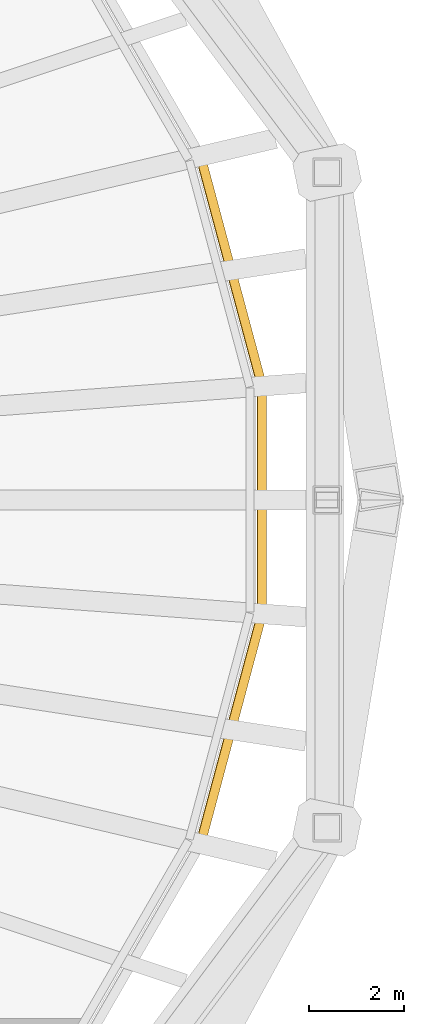
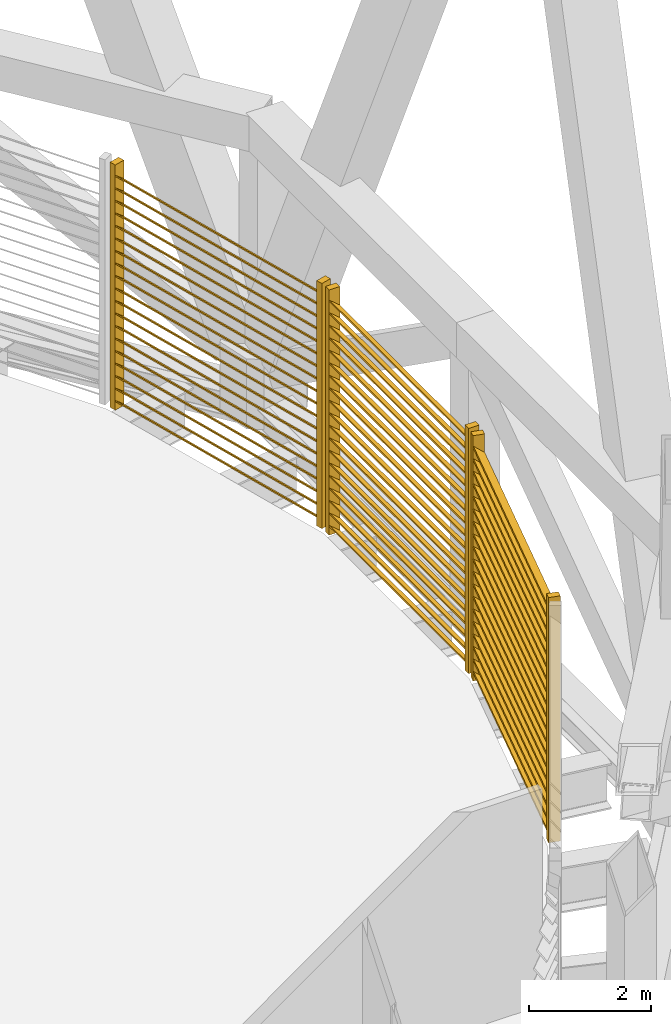
# One storey, part 18 of 18: 3 shading devices.
"""IFC4 building model written with IfcOpenShell, lengths in metres."""

from ifc_helpers import new_model, si_unit, direction, frame, origin, origin_2d, place, context, subcontext, project, spatial, rectangle, extrude, material, type_object, element, save


model = new_model("IFC4")

# Units and contexts
model_context = context("Model", 3, precision=1e-05, world=origin(), true_north=direction((0.0, 1.0)))
body_context = subcontext(model_context, "Body", "Model", "MODEL_VIEW")
ifc_project = project(units=[si_unit("LENGTHUNIT", "METRE"), si_unit("AREAUNIT", "SQUARE_METRE"), si_unit("VOLUMEUNIT", "CUBIC_METRE"), si_unit("PLANEANGLEUNIT", "RADIAN"), si_unit("MASSUNIT", "GRAM", prefix="KILO")], contexts=[model_context])

# Site, building, storey
site_placement = place(None, origin())
site = spatial("IfcSite", under=ifc_project, at=site_placement, CompositionType="ELEMENT")
building_placement = place(site_placement, origin())
building = spatial("IfcBuilding", under=site, at=building_placement, Name="Sahrelin Media Tower", CompositionType="ELEMENT")
storey_placement = place(building_placement, frame((0.0, 0.0, 96.60009765625)))
storey = spatial("IfcBuildingStorey", under=building, at=storey_placement, Name="L18", CompositionType="ELEMENT", Elevation=96.60009765625)

# Shading devices
ifc_material = material(Name="Champagne anodised aluminium 6063-T6", Category="aluminium")
shading_device_type = type_object("IfcShadingDeviceType", Name="Sand-rejection louvre band", PredefinedType="USERDEFINED", material=ifc_material)
shading_device_1_placement = place(storey_placement, frame((31.994873046875, 0.0, 0.0), z_axis=(0.0, 0.0, 1.0), x_axis=(0.0, -1.0, 0.0)))
element("IfcShadingDevice", 1, at=shading_device_1_placement, inside=storey, type_object=shading_device_type, Name="L18:LOUVRE:L18-00", ObjectType="LOUVRE", PredefinedType="USERDEFINED", context=body_context, shape_type="SweptSolid", body=[
    extrude(rectangle(XDim=0.1201171875, YDim=0.199951171875, at=origin_2d()), frame((2.28125, 0.10009765625, 0.050048828125), z_axis=(0.0, 0.0, 1.0), x_axis=(1.0, 0.0, 0.0)), (0.0, 0.0, 1.0), 4.8984375),
    extrude(rectangle(XDim=0.1201171875, YDim=0.199951171875, at=origin_2d()), frame((-2.28125, 0.10009765625, 0.050048828125), z_axis=(0.0, 0.0, 1.0), x_axis=(1.0, 0.0, 0.0)), (0.0, 0.0, 1.0), 4.8984375),
    extrude(rectangle(XDim=0.25, YDim=0.02001953125, at=origin_2d()), frame((2.22119140625, 0.10009765625, 0.14990234375), z_axis=(-1.0, 0.0, 0.0), x_axis=(0.0, -0.766044443119, 0.642787609687)), (0.0, 0.0, 1.0), 4.4423828125),
    extrude(rectangle(XDim=0.25, YDim=0.02001953125, at=origin_2d()), frame((2.22119140625, 0.10009765625, 0.39990234375), z_axis=(-1.0, 0.0, 0.0), x_axis=(0.0, -0.766044443119, 0.642787609687)), (0.0, 0.0, 1.0), 4.4423828125),
    extrude(rectangle(XDim=0.25, YDim=0.02001953125, at=origin_2d()), frame((2.22119140625, 0.10009765625, 0.64990234375), z_axis=(-1.0, 0.0, 0.0), x_axis=(0.0, -0.766044443119, 0.642787609687)), (0.0, 0.0, 1.0), 4.4423828125),
    extrude(rectangle(XDim=0.25, YDim=0.02001953125, at=origin_2d()), frame((2.22119140625, 0.10009765625, 0.89990234375), z_axis=(-1.0, 0.0, 0.0), x_axis=(0.0, -0.766044443119, 0.642787609687)), (0.0, 0.0, 1.0), 4.4423828125),
    extrude(rectangle(XDim=0.25, YDim=0.02001953125, at=origin_2d()), frame((2.22119140625, 0.10009765625, 1.14990234375), z_axis=(-1.0, 0.0, 0.0), x_axis=(0.0, -0.766044443119, 0.642787609687)), (0.0, 0.0, 1.0), 4.4423828125),
    extrude(rectangle(XDim=0.25, YDim=0.02001953125, at=origin_2d()), frame((2.22119140625, 0.10009765625, 1.39990234375), z_axis=(-1.0, 0.0, 0.0), x_axis=(0.0, -0.766044443119, 0.642787609687)), (0.0, 0.0, 1.0), 4.4423828125),
    extrude(rectangle(XDim=0.25, YDim=0.02001953125, at=origin_2d()), frame((2.22119140625, 0.10009765625, 1.64990234375), z_axis=(-1.0, 0.0, 0.0), x_axis=(0.0, -0.766044443119, 0.642787609687)), (0.0, 0.0, 1.0), 4.4423828125),
    extrude(rectangle(XDim=0.25, YDim=0.02001953125, at=origin_2d()), frame((2.22119140625, 0.10009765625, 1.89990234375), z_axis=(-1.0, 0.0, 0.0), x_axis=(0.0, -0.766044443119, 0.642787609687)), (0.0, 0.0, 1.0), 4.4423828125),
    extrude(rectangle(XDim=0.25, YDim=0.02001953125, at=origin_2d()), frame((2.22119140625, 0.10009765625, 2.14990234375), z_axis=(-1.0, 0.0, 0.0), x_axis=(0.0, -0.766044443119, 0.642787609687)), (0.0, 0.0, 1.0), 4.4423828125),
    extrude(rectangle(XDim=0.25, YDim=0.02001953125, at=origin_2d()), frame((2.22119140625, 0.10009765625, 2.39990234375), z_axis=(-1.0, 0.0, 0.0), x_axis=(0.0, -0.766044443119, 0.642787609687)), (0.0, 0.0, 1.0), 4.4423828125),
    extrude(rectangle(XDim=0.25, YDim=0.02001953125, at=origin_2d()), frame((2.22119140625, 0.10009765625, 2.64990234375), z_axis=(-1.0, 0.0, 0.0), x_axis=(0.0, -0.766044443119, 0.642787609687)), (0.0, 0.0, 1.0), 4.4423828125),
    extrude(rectangle(XDim=0.25, YDim=0.02001953125, at=origin_2d()), frame((2.22119140625, 0.10009765625, 2.89990234375), z_axis=(-1.0, 0.0, 0.0), x_axis=(0.0, -0.766044443119, 0.642787609687)), (0.0, 0.0, 1.0), 4.4423828125),
    extrude(rectangle(XDim=0.25, YDim=0.02001953125, at=origin_2d()), frame((2.22119140625, 0.10009765625, 3.14990234375), z_axis=(-1.0, 0.0, 0.0), x_axis=(0.0, -0.766044443119, 0.642787609687)), (0.0, 0.0, 1.0), 4.4423828125),
    extrude(rectangle(XDim=0.25, YDim=0.02001953125, at=origin_2d()), frame((2.22119140625, 0.10009765625, 3.39990234375), z_axis=(-1.0, 0.0, 0.0), x_axis=(0.0, -0.766044443119, 0.642787609687)), (0.0, 0.0, 1.0), 4.4423828125),
    extrude(rectangle(XDim=0.25, YDim=0.02001953125, at=origin_2d()), frame((2.22119140625, 0.10009765625, 3.64990234375), z_axis=(-1.0, 0.0, 0.0), x_axis=(0.0, -0.766044443119, 0.642787609687)), (0.0, 0.0, 1.0), 4.4423828125),
    extrude(rectangle(XDim=0.25, YDim=0.02001953125, at=origin_2d()), frame((2.22119140625, 0.10009765625, 3.89990234375), z_axis=(-1.0, 0.0, 0.0), x_axis=(0.0, -0.766044443119, 0.642787609687)), (0.0, 0.0, 1.0), 4.4423828125),
    extrude(rectangle(XDim=0.25, YDim=0.02001953125, at=origin_2d()), frame((2.22119140625, 0.10009765625, 4.14990234375), z_axis=(-1.0, 0.0, 0.0), x_axis=(0.0, -0.766044443119, 0.642787609687)), (0.0, 0.0, 1.0), 4.4423828125),
    extrude(rectangle(XDim=0.25, YDim=0.02001953125, at=origin_2d()), frame((2.22119140625, 0.10009765625, 4.39990234375), z_axis=(-1.0, 0.0, 0.0), x_axis=(0.0, -0.766044443119, 0.642787609687)), (0.0, 0.0, 1.0), 4.4423828125),
    extrude(rectangle(XDim=0.25, YDim=0.02001953125, at=origin_2d()), frame((2.22119140625, 0.10009765625, 4.64990234375), z_axis=(-1.0, 0.0, 0.0), x_axis=(0.0, -0.766044443119, 0.642787609687)), (0.0, 0.0, 1.0), 4.4423828125),
])
shading_device_2_placement = place(storey_placement, frame((31.34765625, 4.806884765625, 0.0), z_axis=(0.0, 0.0, 1.0), x_axis=(0.258807731996, -0.965928857556, 0.0)))
element("IfcShadingDevice", 2, at=shading_device_2_placement, inside=storey, type_object=shading_device_type, Name="L18:LOUVRE:L18-01", ObjectType="LOUVRE", PredefinedType="USERDEFINED", context=body_context, shape_type="SweptSolid", body=[
    extrude(rectangle(XDim=0.1201171875, YDim=0.199951171875, at=origin_2d()), frame((2.390625, 0.10009765625, 0.050048828125), z_axis=(0.0, 0.0, 1.0), x_axis=(1.0, 0.0, 0.0)), (0.0, 0.0, 1.0), 4.8984375),
    extrude(rectangle(XDim=0.1201171875, YDim=0.199951171875, at=origin_2d()), frame((-2.390625, 0.10009765625, 0.050048828125), z_axis=(0.0, 0.0, 1.0), x_axis=(1.0, 0.0, 0.0)), (0.0, 0.0, 1.0), 4.8984375),
    extrude(rectangle(XDim=0.25, YDim=0.02001953125, at=origin_2d()), frame((2.330810546875, 0.10009765625, 0.14990234375), z_axis=(-1.0, 0.0, 0.0), x_axis=(0.0, -0.766044443119, 0.642787609687)), (0.0, 0.0, 1.0), 4.66162109375),
    extrude(rectangle(XDim=0.25, YDim=0.02001953125, at=origin_2d()), frame((2.330810546875, 0.10009765625, 0.39990234375), z_axis=(-1.0, 0.0, 0.0), x_axis=(0.0, -0.766044443119, 0.642787609687)), (0.0, 0.0, 1.0), 4.66162109375),
    extrude(rectangle(XDim=0.25, YDim=0.02001953125, at=origin_2d()), frame((2.330810546875, 0.10009765625, 0.64990234375), z_axis=(-1.0, 0.0, 0.0), x_axis=(0.0, -0.766044443119, 0.642787609687)), (0.0, 0.0, 1.0), 4.66162109375),
    extrude(rectangle(XDim=0.25, YDim=0.02001953125, at=origin_2d()), frame((2.330810546875, 0.10009765625, 0.89990234375), z_axis=(-1.0, 0.0, 0.0), x_axis=(0.0, -0.766044443119, 0.642787609687)), (0.0, 0.0, 1.0), 4.66162109375),
    extrude(rectangle(XDim=0.25, YDim=0.02001953125, at=origin_2d()), frame((2.330810546875, 0.10009765625, 1.14990234375), z_axis=(-1.0, 0.0, 0.0), x_axis=(0.0, -0.766044443119, 0.642787609687)), (0.0, 0.0, 1.0), 4.66162109375),
    extrude(rectangle(XDim=0.25, YDim=0.02001953125, at=origin_2d()), frame((2.330810546875, 0.10009765625, 1.39990234375), z_axis=(-1.0, 0.0, 0.0), x_axis=(0.0, -0.766044443119, 0.642787609687)), (0.0, 0.0, 1.0), 4.66162109375),
    extrude(rectangle(XDim=0.25, YDim=0.02001953125, at=origin_2d()), frame((2.330810546875, 0.10009765625, 1.64990234375), z_axis=(-1.0, 0.0, 0.0), x_axis=(0.0, -0.766044443119, 0.642787609687)), (0.0, 0.0, 1.0), 4.66162109375),
    extrude(rectangle(XDim=0.25, YDim=0.02001953125, at=origin_2d()), frame((2.330810546875, 0.10009765625, 1.89990234375), z_axis=(-1.0, 0.0, 0.0), x_axis=(0.0, -0.766044443119, 0.642787609687)), (0.0, 0.0, 1.0), 4.66162109375),
    extrude(rectangle(XDim=0.25, YDim=0.02001953125, at=origin_2d()), frame((2.330810546875, 0.10009765625, 2.14990234375), z_axis=(-1.0, 0.0, 0.0), x_axis=(0.0, -0.766044443119, 0.642787609687)), (0.0, 0.0, 1.0), 4.66162109375),
    extrude(rectangle(XDim=0.25, YDim=0.02001953125, at=origin_2d()), frame((2.330810546875, 0.10009765625, 2.39990234375), z_axis=(-1.0, 0.0, 0.0), x_axis=(0.0, -0.766044443119, 0.642787609687)), (0.0, 0.0, 1.0), 4.66162109375),
    extrude(rectangle(XDim=0.25, YDim=0.02001953125, at=origin_2d()), frame((2.330810546875, 0.10009765625, 2.64990234375), z_axis=(-1.0, 0.0, 0.0), x_axis=(0.0, -0.766044443119, 0.642787609687)), (0.0, 0.0, 1.0), 4.66162109375),
    extrude(rectangle(XDim=0.25, YDim=0.02001953125, at=origin_2d()), frame((2.330810546875, 0.10009765625, 2.89990234375), z_axis=(-1.0, 0.0, 0.0), x_axis=(0.0, -0.766044443119, 0.642787609687)), (0.0, 0.0, 1.0), 4.66162109375),
    extrude(rectangle(XDim=0.25, YDim=0.02001953125, at=origin_2d()), frame((2.330810546875, 0.10009765625, 3.14990234375), z_axis=(-1.0, 0.0, 0.0), x_axis=(0.0, -0.766044443119, 0.642787609687)), (0.0, 0.0, 1.0), 4.66162109375),
    extrude(rectangle(XDim=0.25, YDim=0.02001953125, at=origin_2d()), frame((2.330810546875, 0.10009765625, 3.39990234375), z_axis=(-1.0, 0.0, 0.0), x_axis=(0.0, -0.766044443119, 0.642787609687)), (0.0, 0.0, 1.0), 4.66162109375),
    extrude(rectangle(XDim=0.25, YDim=0.02001953125, at=origin_2d()), frame((2.330810546875, 0.10009765625, 3.64990234375), z_axis=(-1.0, 0.0, 0.0), x_axis=(0.0, -0.766044443119, 0.642787609687)), (0.0, 0.0, 1.0), 4.66162109375),
    extrude(rectangle(XDim=0.25, YDim=0.02001953125, at=origin_2d()), frame((2.330810546875, 0.10009765625, 3.89990234375), z_axis=(-1.0, 0.0, 0.0), x_axis=(0.0, -0.766044443119, 0.642787609687)), (0.0, 0.0, 1.0), 4.66162109375),
    extrude(rectangle(XDim=0.25, YDim=0.02001953125, at=origin_2d()), frame((2.330810546875, 0.10009765625, 4.14990234375), z_axis=(-1.0, 0.0, 0.0), x_axis=(0.0, -0.766044443119, 0.642787609687)), (0.0, 0.0, 1.0), 4.66162109375),
    extrude(rectangle(XDim=0.25, YDim=0.02001953125, at=origin_2d()), frame((2.330810546875, 0.10009765625, 4.39990234375), z_axis=(-1.0, 0.0, 0.0), x_axis=(0.0, -0.766044443119, 0.642787609687)), (0.0, 0.0, 1.0), 4.66162109375),
    extrude(rectangle(XDim=0.25, YDim=0.02001953125, at=origin_2d()), frame((2.330810546875, 0.10009765625, 4.64990234375), z_axis=(-1.0, 0.0, 0.0), x_axis=(0.0, -0.766044443119, 0.642787609687)), (0.0, 0.0, 1.0), 4.66162109375),
])
shading_device_3_placement = place(storey_placement, frame((31.34765625, -4.806640625, 0.0), z_axis=(0.0, 0.0, 1.0), x_axis=(-0.258807731996, -0.965928857556, 0.0)))
element("IfcShadingDevice", 3, at=shading_device_3_placement, inside=storey, type_object=shading_device_type, Name="L18:LOUVRE:L18-23", ObjectType="LOUVRE", PredefinedType="USERDEFINED", context=body_context, shape_type="SweptSolid", body=[
    extrude(rectangle(XDim=0.1201171875, YDim=0.199951171875, at=origin_2d()), frame((2.390625, 0.10009765625, 0.050048828125), z_axis=(0.0, 0.0, 1.0), x_axis=(1.0, 0.0, 0.0)), (0.0, 0.0, 1.0), 4.8984375),
    extrude(rectangle(XDim=0.1201171875, YDim=0.199951171875, at=origin_2d()), frame((-2.390625, 0.10009765625, 0.050048828125), z_axis=(0.0, 0.0, 1.0), x_axis=(1.0, 0.0, 0.0)), (0.0, 0.0, 1.0), 4.8984375),
    extrude(rectangle(XDim=0.25, YDim=0.02001953125, at=origin_2d()), frame((2.330810546875, 0.10009765625, 0.14990234375), z_axis=(-1.0, 0.0, 0.0), x_axis=(0.0, -0.766044443119, 0.642787609687)), (0.0, 0.0, 1.0), 4.66162109375),
    extrude(rectangle(XDim=0.25, YDim=0.02001953125, at=origin_2d()), frame((2.330810546875, 0.10009765625, 0.39990234375), z_axis=(-1.0, 0.0, 0.0), x_axis=(0.0, -0.766044443119, 0.642787609687)), (0.0, 0.0, 1.0), 4.66162109375),
    extrude(rectangle(XDim=0.25, YDim=0.02001953125, at=origin_2d()), frame((2.330810546875, 0.10009765625, 0.64990234375), z_axis=(-1.0, 0.0, 0.0), x_axis=(0.0, -0.766044443119, 0.642787609687)), (0.0, 0.0, 1.0), 4.66162109375),
    extrude(rectangle(XDim=0.25, YDim=0.02001953125, at=origin_2d()), frame((2.330810546875, 0.10009765625, 0.89990234375), z_axis=(-1.0, 0.0, 0.0), x_axis=(0.0, -0.766044443119, 0.642787609687)), (0.0, 0.0, 1.0), 4.66162109375),
    extrude(rectangle(XDim=0.25, YDim=0.02001953125, at=origin_2d()), frame((2.330810546875, 0.10009765625, 1.14990234375), z_axis=(-1.0, 0.0, 0.0), x_axis=(0.0, -0.766044443119, 0.642787609687)), (0.0, 0.0, 1.0), 4.66162109375),
    extrude(rectangle(XDim=0.25, YDim=0.02001953125, at=origin_2d()), frame((2.330810546875, 0.10009765625, 1.39990234375), z_axis=(-1.0, 0.0, 0.0), x_axis=(0.0, -0.766044443119, 0.642787609687)), (0.0, 0.0, 1.0), 4.66162109375),
    extrude(rectangle(XDim=0.25, YDim=0.02001953125, at=origin_2d()), frame((2.330810546875, 0.10009765625, 1.64990234375), z_axis=(-1.0, 0.0, 0.0), x_axis=(0.0, -0.766044443119, 0.642787609687)), (0.0, 0.0, 1.0), 4.66162109375),
    extrude(rectangle(XDim=0.25, YDim=0.02001953125, at=origin_2d()), frame((2.330810546875, 0.10009765625, 1.89990234375), z_axis=(-1.0, 0.0, 0.0), x_axis=(0.0, -0.766044443119, 0.642787609687)), (0.0, 0.0, 1.0), 4.66162109375),
    extrude(rectangle(XDim=0.25, YDim=0.02001953125, at=origin_2d()), frame((2.330810546875, 0.10009765625, 2.14990234375), z_axis=(-1.0, 0.0, 0.0), x_axis=(0.0, -0.766044443119, 0.642787609687)), (0.0, 0.0, 1.0), 4.66162109375),
    extrude(rectangle(XDim=0.25, YDim=0.02001953125, at=origin_2d()), frame((2.330810546875, 0.10009765625, 2.39990234375), z_axis=(-1.0, 0.0, 0.0), x_axis=(0.0, -0.766044443119, 0.642787609687)), (0.0, 0.0, 1.0), 4.66162109375),
    extrude(rectangle(XDim=0.25, YDim=0.02001953125, at=origin_2d()), frame((2.330810546875, 0.10009765625, 2.64990234375), z_axis=(-1.0, 0.0, 0.0), x_axis=(0.0, -0.766044443119, 0.642787609687)), (0.0, 0.0, 1.0), 4.66162109375),
    extrude(rectangle(XDim=0.25, YDim=0.02001953125, at=origin_2d()), frame((2.330810546875, 0.10009765625, 2.89990234375), z_axis=(-1.0, 0.0, 0.0), x_axis=(0.0, -0.766044443119, 0.642787609687)), (0.0, 0.0, 1.0), 4.66162109375),
    extrude(rectangle(XDim=0.25, YDim=0.02001953125, at=origin_2d()), frame((2.330810546875, 0.10009765625, 3.14990234375), z_axis=(-1.0, 0.0, 0.0), x_axis=(0.0, -0.766044443119, 0.642787609687)), (0.0, 0.0, 1.0), 4.66162109375),
    extrude(rectangle(XDim=0.25, YDim=0.02001953125, at=origin_2d()), frame((2.330810546875, 0.10009765625, 3.39990234375), z_axis=(-1.0, 0.0, 0.0), x_axis=(0.0, -0.766044443119, 0.642787609687)), (0.0, 0.0, 1.0), 4.66162109375),
    extrude(rectangle(XDim=0.25, YDim=0.02001953125, at=origin_2d()), frame((2.330810546875, 0.10009765625, 3.64990234375), z_axis=(-1.0, 0.0, 0.0), x_axis=(0.0, -0.766044443119, 0.642787609687)), (0.0, 0.0, 1.0), 4.66162109375),
    extrude(rectangle(XDim=0.25, YDim=0.02001953125, at=origin_2d()), frame((2.330810546875, 0.10009765625, 3.89990234375), z_axis=(-1.0, 0.0, 0.0), x_axis=(0.0, -0.766044443119, 0.642787609687)), (0.0, 0.0, 1.0), 4.66162109375),
    extrude(rectangle(XDim=0.25, YDim=0.02001953125, at=origin_2d()), frame((2.330810546875, 0.10009765625, 4.14990234375), z_axis=(-1.0, 0.0, 0.0), x_axis=(0.0, -0.766044443119, 0.642787609687)), (0.0, 0.0, 1.0), 4.66162109375),
    extrude(rectangle(XDim=0.25, YDim=0.02001953125, at=origin_2d()), frame((2.330810546875, 0.10009765625, 4.39990234375), z_axis=(-1.0, 0.0, 0.0), x_axis=(0.0, -0.766044443119, 0.642787609687)), (0.0, 0.0, 1.0), 4.66162109375),
    extrude(rectangle(XDim=0.25, YDim=0.02001953125, at=origin_2d()), frame((2.330810546875, 0.10009765625, 4.64990234375), z_axis=(-1.0, 0.0, 0.0), x_axis=(0.0, -0.766044443119, 0.642787609687)), (0.0, 0.0, 1.0), 4.66162109375),
])

save(model, "model.ifc")
